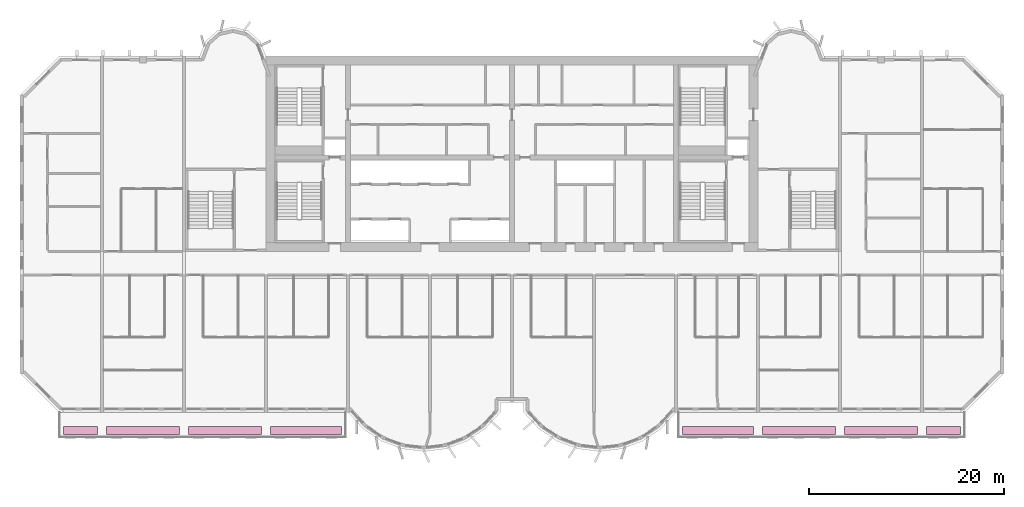
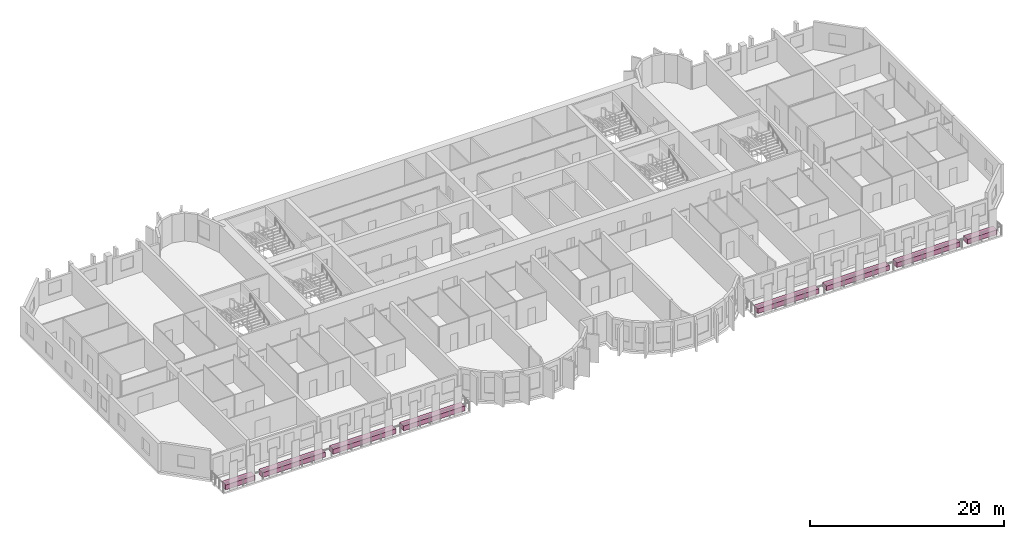
# One storey, part 14 of 14: 8 furniture elements.
"""IFC4 building model written with IfcOpenShell, lengths in metres."""

from ifc_helpers import new_model, si_unit, direction, frame, origin, origin_2d, place, context, subcontext, project, spatial, rectangle, extrude, source, transform, mapped, material, type_object, element, save


model = new_model("IFC4")

# Units and contexts
model_context = context("Model", 3, precision=1e-05, world=origin(), true_north=direction((0.0, 1.0)))
body_context = subcontext(model_context, "Body", "Model", "MODEL_VIEW")
ifc_project = project(units=[si_unit("LENGTHUNIT", "METRE"), si_unit("AREAUNIT", "SQUARE_METRE"), si_unit("VOLUMEUNIT", "CUBIC_METRE"), si_unit("PLANEANGLEUNIT", "RADIAN"), si_unit("MASSUNIT", "GRAM", prefix="KILO")], contexts=[model_context])

# Site, building, storey
site_placement = place(None, origin())
site = spatial("IfcSite", under=ifc_project, at=site_placement, CompositionType="ELEMENT")
building_placement = place(site_placement, origin())
building = spatial("IfcBuilding", under=site, at=building_placement, Name="Vanashikhar Sky Hotel", CompositionType="ELEMENT")
storey_placement = place(building_placement, frame((0.0, 0.0, 118.0)))
storey = spatial("IfcBuildingStorey", under=building, at=storey_placement, Name="L28", CompositionType="ELEMENT", Elevation=118.0)

# Furniture
ifc_material = material(Name="Planting soil and shrubs")
furniture_type = type_object("IfcFurnitureType", Name="Planter trough", AssemblyPlace="NOTDEFINED", PredefinedType="USERDEFINED", material=ifc_material)
shared_shape_1 = source(origin(), body_context, "Body", "SweptSolid", [
    extrude(rectangle(XDim=3.5, YDim=0.800048828125, at=origin_2d()), origin(), (0.0, 0.0, 1.0), 0.60009765625),
])
for number, where, z_axis, x_axis, name in (
    (1, (6.199951171875, 3.64990234375, -0.050048828125), (0.0, 0.0, 1.0), (1.0, 0.0, 0.0), "PLANTER with climbers"),
    (2, (94.60009765625, 3.64990234375, -0.050048828125), (0.0, 0.0, 1.0), (1.0, 0.0, 0.0), "PLANTER with climbers"),
):
    element("IfcFurniture", number, at=place(storey_placement, frame(where, z_axis=z_axis, x_axis=x_axis)), inside=storey, type_object=furniture_type, Name=name, ObjectType="PLANTER", PredefinedType="USERDEFINED", context=body_context, shape_type="MappedRepresentation", body=[
        mapped(shared_shape_1, transform((0.0, 0.0, 0.0), scale=1.0)),
    ])
shared_shape_2 = source(origin(), body_context, "Body", "SweptSolid", [
    extrude(rectangle(XDim=7.5, YDim=0.800048828125, at=origin_2d()), origin(), (0.0, 0.0, 1.0), 0.60009765625),
])
for number, where, z_axis, x_axis, name in (
    (3, (12.60009765625, 3.64990234375, -0.050048828125), (0.0, 0.0, 1.0), (1.0, 0.0, 0.0), "PLANTER with climbers"),
    (4, (21.0, 3.64990234375, -0.050048828125), (0.0, 0.0, 1.0), (1.0, 0.0, 0.0), "PLANTER with climbers"),
    (5, (79.800048828125, 3.64990234375, -0.050048828125), (0.0, 0.0, 1.0), (1.0, 0.0, 0.0), "PLANTER with climbers"),
    (6, (88.199951171875, 3.64990234375, -0.050048828125), (0.0, 0.0, 1.0), (1.0, 0.0, 0.0), "PLANTER with climbers"),
):
    element("IfcFurniture", number, at=place(storey_placement, frame(where, z_axis=z_axis, x_axis=x_axis)), inside=storey, type_object=furniture_type, Name=name, ObjectType="PLANTER", PredefinedType="USERDEFINED", context=body_context, shape_type="MappedRepresentation", body=[
        mapped(shared_shape_2, transform((0.0, 0.0, 0.0), scale=1.0)),
    ])
shared_shape_3 = source(origin(), body_context, "Body", "SweptSolid", [
    extrude(rectangle(XDim=7.300048828125, YDim=0.800048828125, at=origin_2d()), origin(), (0.0, 0.0, 1.0), 0.60009765625),
])
for number, where, z_axis, x_axis, name in (
    (7, (29.300048828125, 3.64990234375, -0.050048828125), (0.0, 0.0, 1.0), (1.0, 0.0, 0.0), "PLANTER with climbers"),
    (8, (71.5, 3.64990234375, -0.050048828125), (0.0, 0.0, 1.0), (1.0, 0.0, 0.0), "PLANTER with climbers"),
):
    element("IfcFurniture", number, at=place(storey_placement, frame(where, z_axis=z_axis, x_axis=x_axis)), inside=storey, type_object=furniture_type, Name=name, ObjectType="PLANTER", PredefinedType="USERDEFINED", context=body_context, shape_type="MappedRepresentation", body=[
        mapped(shared_shape_3, transform((0.0, 0.0, 0.0), scale=1.0)),
    ])

save(model, "model.ifc")
